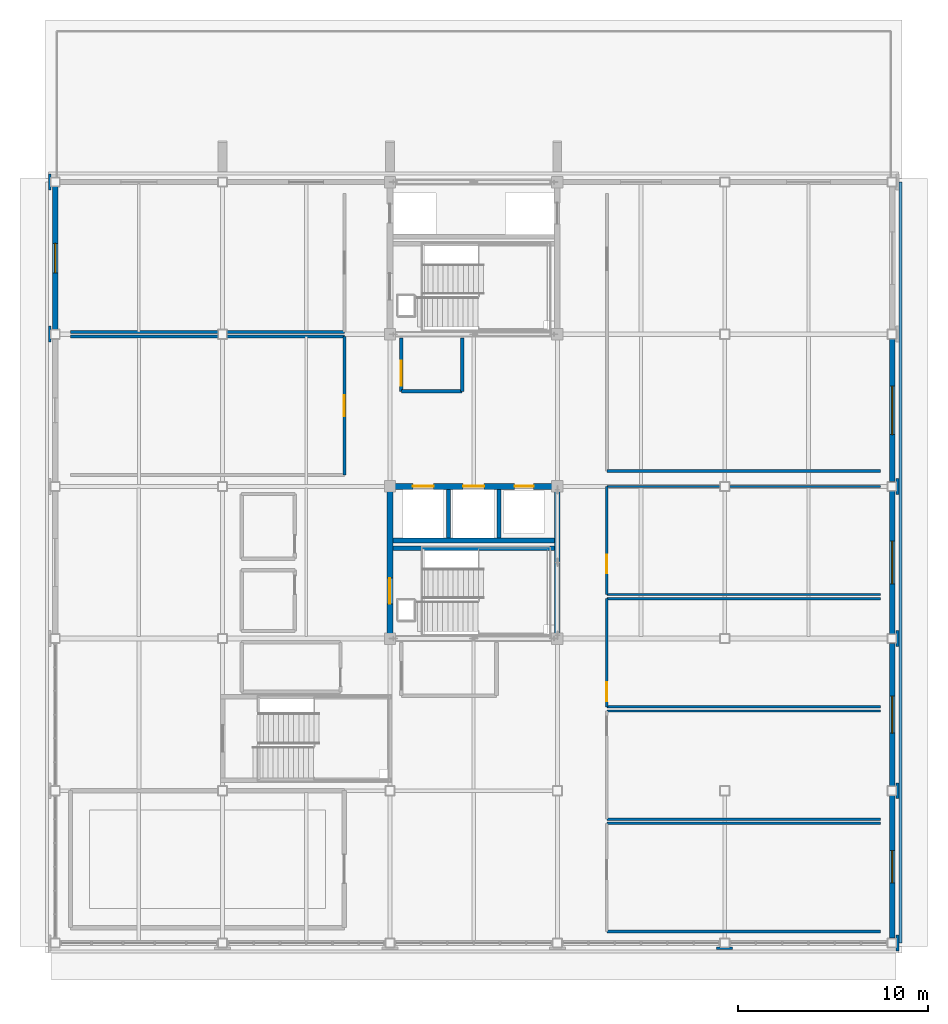
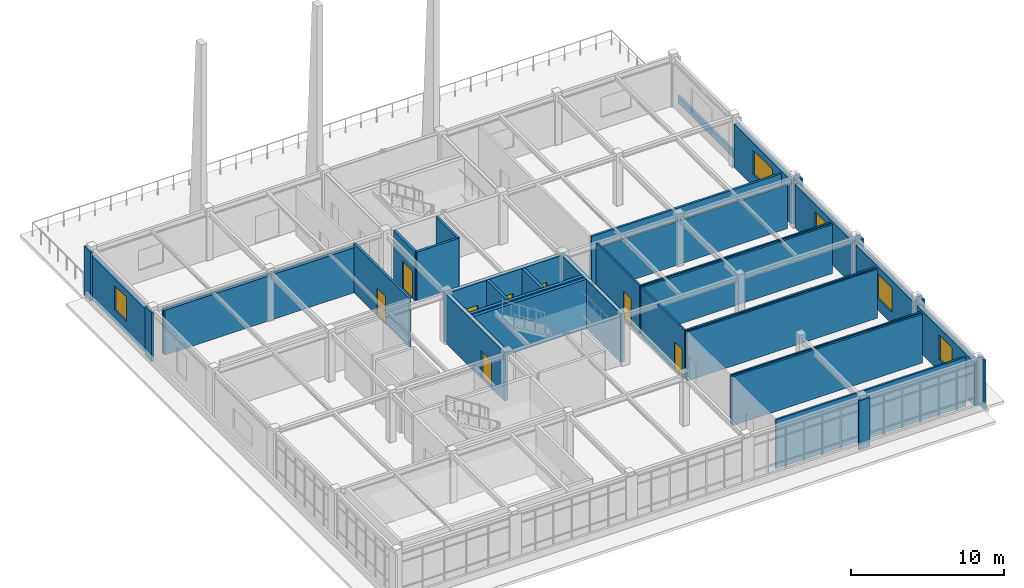
# One storey, part 15 of 22: 37 walls, 8 doors, 5 windows, 13 openings.
"""IFC4 building model written with IfcOpenShell, lengths in metres."""

from ifc_helpers import new_model, si_unit, direction, frame, frame_2d, origin, place, context, subcontext, project, spatial, rectangle, extrude, material, layer, layer_set, type_object, element, fill, save


model = new_model("IFC4")

# Units and contexts
model_context = context("Model", 3, precision=1e-05, world=origin(), true_north=direction((0.0, 1.0)))
body_context = subcontext(model_context, "Body", "Model", "MODEL_VIEW")
ifc_project = project(units=[si_unit("LENGTHUNIT", "METRE"), si_unit("AREAUNIT", "SQUARE_METRE"), si_unit("VOLUMEUNIT", "CUBIC_METRE"), si_unit("PLANEANGLEUNIT", "RADIAN"), si_unit("MASSUNIT", "GRAM", prefix="KILO")], contexts=[model_context])

# Site, building, storey
site_placement = place(None, origin())
site = spatial("IfcSite", under=ifc_project, at=site_placement, CompositionType="ELEMENT")
building_placement = place(site_placement, origin())
building = spatial("IfcBuilding", under=site, at=building_placement, Name="Zhaolan Boulevard Law Courts", CompositionType="ELEMENT")
storey_placement = place(building_placement, frame((0.0, 0.0, 28.800048828125)))
storey = spatial("IfcBuildingStorey", under=building, at=storey_placement, Name="L06", CompositionType="ELEMENT", Elevation=28.800048828125)

# Wall, openings, doors
ifc_material_1 = material(Name="Concrete C50", Category="concrete")
ifc_layer_1 = layer(ifc_material_1, 0.300048828125)
ifc_layer_set_1 = layer_set([ifc_layer_1])
wall_type_1 = type_object("IfcWallType", Name="CORE SHEAR WALL 300", PredefinedType="SHEAR", material=ifc_layer_set_1)
wall_1_placement = place(storey_placement, frame((26.550048828125, 54.0, 0.0), z_axis=(0.0, 0.0, 1.0), x_axis=(-1.0, 0.0, 0.0)))
wall_1 = element("IfcWall", 1, at=wall_1_placement, inside=storey, type_object=wall_type_1, Name="Core Shear Wall CW-W1-L06N", PredefinedType="SHEAR", context=body_context, shape_type="SweptSolid", body=[
    extrude(rectangle(XDim=9.10009765625, YDim=0.300048828125, at=frame_2d((4.550048828125, 0.0))), origin(), (0.0, 0.0, 1.0), 3.919921875),
])
opening_1_placement = place(wall_1_placement, frame((6.64990234375, 0.0, 0.0)))
opening_1 = element("IfcOpeningElement", 2, at=opening_1_placement, cuts=wall_1, Name="Opening LD-FL-01-L06", PredefinedType="OPENING", context=body_context, shape_type="SweptSolid", body=[
    extrude(rectangle(XDim=1.10009765625, YDim=2.14990234375, at=frame_2d((0.550048828125, 1.074951171875))), frame((0.0, 0.159912109375, 0.0), z_axis=(0.0, -1.0, 0.0), x_axis=(1.0, 0.0, 0.0)), (0.0, 0.0, 1.0), 0.320068359375),
])
opening_2_placement = place(wall_1_placement, frame((4.0, 0.0, 0.0)))
opening_2 = element("IfcOpeningElement", 3, at=opening_2_placement, cuts=wall_1, Name="Opening LD-FL-02-L06", PredefinedType="OPENING", context=body_context, shape_type="SweptSolid", body=[
    extrude(rectangle(XDim=1.10009765625, YDim=2.14990234375, at=frame_2d((0.550048828125, 1.074951171875))), frame((0.0, 0.159912109375, 0.0), z_axis=(0.0, -1.0, 0.0), x_axis=(1.0, 0.0, 0.0)), (0.0, 0.0, 1.0), 0.320068359375),
])
opening_3_placement = place(wall_1_placement, frame((1.39990234375, 0.0, 0.0)))
opening_3 = element("IfcOpeningElement", 4, at=opening_3_placement, cuts=wall_1, Name="Opening LD-JL-01-L06", PredefinedType="OPENING", context=body_context, shape_type="SweptSolid", body=[
    extrude(rectangle(XDim=1.0, YDim=2.14990234375, at=frame_2d((0.5, 1.074951171875))), frame((0.0, 0.159912109375, 0.0), z_axis=(0.0, -1.0, 0.0), x_axis=(1.0, 0.0, 0.0)), (0.0, 0.0, 1.0), 0.320068359375),
])
ifc_material_2 = material(Name="Stainless steel sliding landing door", Category="steel")
door_type_1 = type_object("IfcDoorType", Name="LIFT LANDING 1000X2150", OperationType="DOUBLE_DOOR_SLIDING", PredefinedType="DOOR", material=ifc_material_2)
door_1_placement = place(opening_3_placement, origin())
door_1 = element("IfcDoor", 5, at=door_1_placement, inside=storey, type_object=door_type_1, Name="Lift Landing Sliding Door LD-JL-01-L06", OperationType="DOUBLE_DOOR_SLIDING", OverallHeight=2.14990234375, OverallWidth=1.0, PredefinedType="DOOR", context=body_context, shape_type="SweptSolid", body=[
    extrude(rectangle(XDim=1.0, YDim=2.14990234375, at=frame_2d((0.5, 1.074951171875))), frame((0.0, 0.02490234375, 0.0), z_axis=(0.0, -1.0, 0.0), x_axis=(1.0, 0.0, 0.0)), (0.0, 0.0, 1.0), 0.050048828125),
])
fill(opening_3, door_1)
ifc_material_3 = material(Name="Stainless steel sliding landing door", Category="steel")
door_type_2 = type_object("IfcDoorType", Name="LIFT LANDING 1100X2150", OperationType="DOUBLE_DOOR_SLIDING", PredefinedType="DOOR", material=ifc_material_3)
door_2_placement = place(opening_1_placement, origin())
door_2 = element("IfcDoor", 6, at=door_2_placement, inside=storey, type_object=door_type_2, Name="Lift Landing Sliding Door LD-FL-01-L06", OperationType="DOUBLE_DOOR_SLIDING", OverallHeight=2.14990234375, OverallWidth=1.10009765625, PredefinedType="DOOR", context=body_context, shape_type="SweptSolid", body=[
    extrude(rectangle(XDim=1.10009765625, YDim=2.14990234375, at=frame_2d((0.550048828125, 1.074951171875))), frame((0.0, 0.02490234375, 0.0), z_axis=(0.0, -1.0, 0.0), x_axis=(1.0, 0.0, 0.0)), (0.0, 0.0, 1.0), 0.050048828125),
])
fill(opening_1, door_2)
door_3_placement = place(opening_2_placement, origin())
door_3 = element("IfcDoor", 7, at=door_3_placement, inside=storey, type_object=door_type_2, Name="Lift Landing Sliding Door LD-FL-02-L06", OperationType="DOUBLE_DOOR_SLIDING", OverallHeight=2.14990234375, OverallWidth=1.10009765625, PredefinedType="DOOR", context=body_context, shape_type="SweptSolid", body=[
    extrude(rectangle(XDim=1.10009765625, YDim=2.14990234375, at=frame_2d((0.550048828125, 1.074951171875))), frame((0.0, 0.02490234375, 0.0), z_axis=(0.0, -1.0, 0.0), x_axis=(1.0, 0.0, 0.0)), (0.0, 0.0, 1.0), 0.050048828125),
])
fill(opening_2, door_3)

# Wall, opening, door
wall_2_placement = place(storey_placement, frame((17.60009765625, 46.14990234375, 0.0), z_axis=(0.0, 0.0, 1.0), x_axis=(0.0, 1.0, 0.0)))
wall_2 = element("IfcWall", 8, at=wall_2_placement, inside=storey, type_object=wall_type_1, Name="Core Shear Wall CW-W1-L06W", PredefinedType="SHEAR", context=body_context, shape_type="SweptSolid", body=[
    extrude(rectangle(XDim=7.7001953125, YDim=0.300048828125, at=frame_2d((3.85009765625, 0.0))), origin(), (0.0, 0.0, 1.0), 3.919921875),
])
opening_4_placement = place(wall_2_placement, frame((1.675048828125, 0.0, 0.0)))
opening_4 = element("IfcOpeningElement", 9, at=opening_4_placement, cuts=wall_2, Name="Opening SD-L06-08", PredefinedType="OPENING", context=body_context, shape_type="SweptSolid", body=[
    extrude(rectangle(XDim=1.35009765625, YDim=2.199951171875, at=frame_2d((0.675048828125, 1.10009765625))), frame((0.0, 0.159912109375, 0.0), z_axis=(0.0, -1.0, 0.0), x_axis=(1.0, 0.0, 0.0)), (0.0, 0.0, 1.0), 0.320068359375),
])
ifc_material_4 = material(Name="Fire-rated steel acoustic door", Category="steel")
door_type_3 = type_object("IfcDoorType", Name="STAIR FIRE 1350X2200 R", OperationType="SINGLE_SWING_RIGHT", PredefinedType="DOOR", material=ifc_material_4)
door_4_placement = place(opening_4_placement, origin())
door_4 = element("IfcDoor", 10, at=door_4_placement, inside=storey, type_object=door_type_3, Name="Smoke-Proof Stairwell Fire Door SD-L06-08", OperationType="SINGLE_SWING_RIGHT", OverallHeight=2.199951171875, OverallWidth=1.35009765625, PredefinedType="DOOR", context=body_context, shape_type="SweptSolid", body=[
    extrude(rectangle(XDim=1.35009765625, YDim=2.199951171875, at=frame_2d((0.675048828125, 1.10009765625))), frame((0.0, 0.02490234375, 0.0), z_axis=(0.0, -1.0, 0.0), x_axis=(1.0, 0.0, 0.0)), (0.0, 0.0, 1.0), 0.050048828125),
])
fill(opening_4, door_4)

# Walls
wall_3_placement = place(storey_placement, frame((26.39990234375, 46.14990234375, 0.0), z_axis=(0.0, 0.0, 1.0), x_axis=(0.0, 1.0, 0.0)))
element("IfcWall", 11, at=wall_3_placement, inside=storey, type_object=wall_type_1, Name="Core Shear Wall CW-W1-L06E", PredefinedType="SHEAR", context=body_context, shape_type="SweptSolid", body=[
    extrude(rectangle(XDim=7.7001953125, YDim=0.300048828125, at=frame_2d((3.85009765625, 0.0))), origin(), (0.0, 0.0, 1.0), 3.919921875),
])
ifc_material_5 = material(Name="Concrete C40", Category="concrete")
ifc_layer_2 = layer(ifc_material_5, 0.139892578125)
ifc_layer_set_2 = layer_set([ifc_layer_2])
wall_type_2 = type_object("IfcWallType", Name="EXT WALL ARCH CLAD140", PredefinedType="SOLIDWALL", material=ifc_layer_set_2)
for number, where, z_axis, x_axis, name in (
    (12, (44.280029296875, 29.580078125, 0.0), (0.0, 0.0, 1.0), (0.0, 1.0, 0.0), "Concrete Column Cloak Pier CPR-144"),
    (13, (44.280029296875, 37.580078125, 0.0), (0.0, 0.0, 1.0), (0.0, 1.0, 0.0), "Concrete Column Cloak Pier CPR-146"),
    (14, (44.280029296875, 45.580078125, 0.0), (0.0, 0.0, 1.0), (0.0, 1.0, 0.0), "Concrete Column Cloak Pier CPR-148"),
    (15, (44.280029296875, 53.580078125, 0.0), (0.0, 0.0, 1.0), (0.0, 1.0, 0.0), "Concrete Column Cloak Pier CPR-150"),
    (16, (-0.280029296875, 61.580078125, 0.0), (0.0, 0.0, 1.0), (0.0, 1.0, 0.0), "Concrete Column Cloak Pier CPR-151"),
    (17, (-0.280029296875, 69.580078125, 0.0), (0.0, 0.0, 1.0), (0.0, 1.0, 0.0), "Concrete Column Cloak Pier CPR-153"),
):
    element("IfcWall", number, at=place(storey_placement, frame(where, z_axis=z_axis, x_axis=x_axis)), inside=storey, type_object=wall_type_2, Name=name, PredefinedType="SOLIDWALL", context=body_context, shape_type="SweptSolid", body=[
        extrude(rectangle(XDim=0.83984375, YDim=0.139892578125, at=frame_2d((0.419921875, 0.0))), origin(), (0.0, 0.0, 1.0), 3.93994140625),
    ])
wall_4_placement = place(storey_placement, frame((34.780029296875, 29.719970703125, 0.0), z_axis=(0.0, 0.0, 1.0), x_axis=(1.0, 0.0, 0.0)))
element("IfcWall", 18, at=wall_4_placement, inside=storey, type_object=wall_type_2, Name="Concrete Column Cloak Pier CPR-158", PredefinedType="SOLIDWALL", context=body_context, shape_type="SweptSolid", body=[
    extrude(rectangle(XDim=0.840087890625, YDim=0.139892578125, at=frame_2d((0.419921875, 0.0))), origin(), (0.0, 0.0, 1.0), 3.93994140625),
])
ifc_material_6 = material(Name="Concrete C40", Category="concrete")
ifc_layer_3 = layer(ifc_material_6, 0.159912109375)
ifc_layer_set_3 = layer_set([ifc_layer_3])
wall_type_3 = type_object("IfcWallType", Name="EXT WALL ARCH CLAD160", PredefinedType="SOLIDWALL", material=ifc_layer_set_3)
wall_5_placement = place(storey_placement, frame((44.43994140625, 30.0, 0.0), z_axis=(0.0, 0.0, 1.0), x_axis=(0.0, 1.0, 0.0)))
element("IfcWall", 19, at=wall_5_placement, inside=storey, type_object=wall_type_3, Name="Sculpted Concrete Spandrel Band CBW-140", PredefinedType="SOLIDWALL", context=body_context, shape_type="SweptSolid", body=[
    extrude(rectangle(XDim=40.0, YDim=0.159912109375, at=frame_2d((20.0, 0.0))), origin(), (0.0, 0.0, 1.0), 0.579833984375),
])

# Wall, opening, window
ifc_material_7 = material(Name="Concrete C40", Category="concrete")
ifc_layer_4 = layer(ifc_material_7, 0.280029296875)
ifc_layer_set_4 = layer_set([ifc_layer_4])
wall_type_4 = type_object("IfcWallType", Name="EXT WALL CONCRETE280", PredefinedType="SOLIDWALL", material=ifc_layer_set_4)
wall_6_placement = place(storey_placement, frame((0.0, 69.75390625, 0.0), z_axis=(0.0, 0.0, 1.0), x_axis=(0.0, -1.0, 0.0)))
wall_6 = element("IfcWall", 20, at=wall_6_placement, inside=storey, type_object=wall_type_4, Name="Exterior Wall EW-L06-383", PredefinedType="SOLIDWALL", context=body_context, shape_type="SweptSolid", body=[
    extrude(rectangle(XDim=7.5078125, YDim=0.280029296875, at=frame_2d((3.75390625, 0.0))), origin(), (0.0, 0.0, 1.0), 3.48291015625),
])
opening_5_placement = place(wall_6_placement, frame((2.97900390625, 0.0, 0.949951171875)))
opening_5 = element("IfcOpeningElement", 21, at=opening_5_placement, cuts=wall_6, Name="Opening WIN-L06-233", PredefinedType="OPENING", context=body_context, shape_type="SweptSolid", body=[
    extrude(rectangle(XDim=1.550048828125, YDim=1.949951171875, at=frame_2d((0.77490234375, 0.97509765625))), frame((0.0, 0.14990234375, 0.0), z_axis=(0.0, -1.0, 0.0), x_axis=(1.0, 0.0, 0.0)), (0.0, 0.0, 1.0), 0.300048828125),
])
ifc_material_8 = material(Name="Thermally broken aluminium and low-E glazing", Category="aluminium")
window_type_1 = type_object("IfcWindowType", Name="WINDOW 1550X1950", PartitioningType="SINGLE_PANEL", PredefinedType="WINDOW", material=ifc_material_8)
window_1_placement = place(opening_5_placement, origin())
window_1 = element("IfcWindow", 22, at=window_1_placement, inside=storey, type_object=window_type_1, Name="Exterior Window WIN-L06-233", OverallHeight=1.949951171875, OverallWidth=1.550048828125, PartitioningType="SINGLE_PANEL", PredefinedType="WINDOW", context=body_context, shape_type="SweptSolid", body=[
    extrude(rectangle(XDim=1.550048828125, YDim=1.949951171875, at=frame_2d((0.77490234375, 0.97509765625))), frame((0.0, 0.030029296875, 0.0), z_axis=(0.0, -1.0, 0.0), x_axis=(1.0, 0.0, 0.0)), (0.0, 0.0, 1.0), 0.06005859375),
])
fill(opening_5, window_1)

wall_7_placement = place(storey_placement, frame((44.0, 30.24609375, 0.0), z_axis=(0.0, 0.0, 1.0), x_axis=(0.0, 1.0, 0.0)))
wall_7 = element("IfcWall", 23, at=wall_7_placement, inside=storey, type_object=wall_type_4, Name="Exterior Wall EW-L06-384", PredefinedType="SOLIDWALL", context=body_context, shape_type="SweptSolid", body=[
    extrude(rectangle(XDim=7.5078125, YDim=0.280029296875, at=frame_2d((3.75390625, 0.0))), origin(), (0.0, 0.0, 1.0), 3.48291015625),
])
opening_6_placement = place(wall_7_placement, frame((2.904052734375, 0.0, 0.949951171875)))
opening_6 = element("IfcOpeningElement", 24, at=opening_6_placement, cuts=wall_7, Name="Opening WIN-L06-234", PredefinedType="OPENING", context=body_context, shape_type="SweptSolid", body=[
    extrude(rectangle(XDim=1.699951171875, YDim=1.949951171875, at=frame_2d((0.85009765625, 0.97509765625))), frame((0.0, 0.14990234375, 0.0), z_axis=(0.0, -1.0, 0.0), x_axis=(1.0, 0.0, 0.0)), (0.0, 0.0, 1.0), 0.300048828125),
])
ifc_material_9 = material(Name="Thermally broken aluminium and low-E glazing", Category="aluminium")
window_type_2 = type_object("IfcWindowType", Name="WINDOW 1700X1950", PartitioningType="SINGLE_PANEL", PredefinedType="WINDOW", material=ifc_material_9)
window_2_placement = place(opening_6_placement, origin())
window_2 = element("IfcWindow", 25, at=window_2_placement, inside=storey, type_object=window_type_2, Name="Exterior Window WIN-L06-234", OverallHeight=1.949951171875, OverallWidth=1.699951171875, PartitioningType="SINGLE_PANEL", PredefinedType="WINDOW", context=body_context, shape_type="SweptSolid", body=[
    extrude(rectangle(XDim=1.699951171875, YDim=1.949951171875, at=frame_2d((0.85009765625, 0.97509765625))), frame((0.0, 0.030029296875, 0.0), z_axis=(0.0, -1.0, 0.0), x_axis=(1.0, 0.0, 0.0)), (0.0, 0.0, 1.0), 0.06005859375),
])
fill(opening_6, window_2)

wall_8_placement = place(storey_placement, frame((44.0, 38.24609375, 0.0), z_axis=(0.0, 0.0, 1.0), x_axis=(0.0, 1.0, 0.0)))
wall_8 = element("IfcWall", 26, at=wall_8_placement, inside=storey, type_object=wall_type_4, Name="Exterior Wall EW-L06-385", PredefinedType="SOLIDWALL", context=body_context, shape_type="SweptSolid", body=[
    extrude(rectangle(XDim=7.5078125, YDim=0.280029296875, at=frame_2d((3.75390625, 0.0))), origin(), (0.0, 0.0, 1.0), 3.48291015625),
])
opening_7_placement = place(wall_8_placement, frame((2.779052734375, 0.0, 0.949951171875)))
opening_7 = element("IfcOpeningElement", 27, at=opening_7_placement, cuts=wall_8, Name="Opening WIN-L06-235", PredefinedType="OPENING", context=body_context, shape_type="SweptSolid", body=[
    extrude(rectangle(XDim=1.949951171875, YDim=1.949951171875, at=frame_2d((0.97509765625, 0.97509765625))), frame((0.0, 0.14990234375, 0.0), z_axis=(0.0, -1.0, 0.0), x_axis=(1.0, 0.0, 0.0)), (0.0, 0.0, 1.0), 0.300048828125),
])
ifc_material_10 = material(Name="Thermally broken aluminium and low-E glazing", Category="aluminium")
window_type_3 = type_object("IfcWindowType", Name="WINDOW 1950X1950", PartitioningType="DOUBLE_PANEL_VERTICAL", PredefinedType="WINDOW", material=ifc_material_10)
window_3_placement = place(opening_7_placement, origin())
window_3 = element("IfcWindow", 28, at=window_3_placement, inside=storey, type_object=window_type_3, Name="Exterior Window WIN-L06-235", OverallHeight=1.949951171875, OverallWidth=1.949951171875, PartitioningType="SINGLE_PANEL", PredefinedType="WINDOW", context=body_context, shape_type="SweptSolid", body=[
    extrude(rectangle(XDim=1.949951171875, YDim=1.949951171875, at=frame_2d((0.97509765625, 0.97509765625))), frame((0.0, 0.030029296875, 0.0), z_axis=(0.0, -1.0, 0.0), x_axis=(1.0, 0.0, 0.0)), (0.0, 0.0, 1.0), 0.06005859375),
])
fill(opening_7, window_3)

wall_9_placement = place(storey_placement, frame((44.0, 46.24609375, 0.0), z_axis=(0.0, 0.0, 1.0), x_axis=(0.0, 1.0, 0.0)))
wall_9 = element("IfcWall", 29, at=wall_9_placement, inside=storey, type_object=wall_type_4, Name="Exterior Wall EW-L06-386", PredefinedType="SOLIDWALL", context=body_context, shape_type="SweptSolid", body=[
    extrude(rectangle(XDim=7.5078125, YDim=0.280029296875, at=frame_2d((3.75390625, 0.0))), origin(), (0.0, 0.0, 1.0), 3.48291015625),
])
opening_8_placement = place(wall_9_placement, frame((2.62890625, 0.0, 0.949951171875)))
opening_8 = element("IfcOpeningElement", 30, at=opening_8_placement, cuts=wall_9, Name="Opening WIN-L06-236", PredefinedType="OPENING", context=body_context, shape_type="SweptSolid", body=[
    extrude(rectangle(XDim=2.25, YDim=1.949951171875, at=frame_2d((1.125, 0.97509765625))), frame((0.0, 0.14990234375, 0.0), z_axis=(0.0, -1.0, 0.0), x_axis=(1.0, 0.0, 0.0)), (0.0, 0.0, 1.0), 0.300048828125),
])
ifc_material_11 = material(Name="Thermally broken aluminium and low-E glazing", Category="aluminium")
window_type_4 = type_object("IfcWindowType", Name="WINDOW 2250X1950", PartitioningType="DOUBLE_PANEL_VERTICAL", PredefinedType="WINDOW", material=ifc_material_11)
window_4_placement = place(opening_8_placement, origin())
window_4 = element("IfcWindow", 31, at=window_4_placement, inside=storey, type_object=window_type_4, Name="Exterior Window WIN-L06-236", OverallHeight=1.949951171875, OverallWidth=2.25, PartitioningType="SINGLE_PANEL", PredefinedType="WINDOW", context=body_context, shape_type="SweptSolid", body=[
    extrude(rectangle(XDim=2.25, YDim=1.949951171875, at=frame_2d((1.125, 0.97509765625))), frame((0.0, 0.030029296875, 0.0), z_axis=(0.0, -1.0, 0.0), x_axis=(1.0, 0.0, 0.0)), (0.0, 0.0, 1.0), 0.06005859375),
])
fill(opening_8, window_4)

wall_10_placement = place(storey_placement, frame((44.0, 54.24609375, 0.0), z_axis=(0.0, 0.0, 1.0), x_axis=(0.0, 1.0, 0.0)))
wall_10 = element("IfcWall", 32, at=wall_10_placement, inside=storey, type_object=wall_type_4, Name="Exterior Wall EW-L06-387", PredefinedType="SOLIDWALL", context=body_context, shape_type="SweptSolid", body=[
    extrude(rectangle(XDim=7.5078125, YDim=0.280029296875, at=frame_2d((3.75390625, 0.0))), origin(), (0.0, 0.0, 1.0), 3.48291015625),
])
opening_9_placement = place(wall_10_placement, frame((2.47900390625, 0.0, 0.949951171875)))
opening_9 = element("IfcOpeningElement", 33, at=opening_9_placement, cuts=wall_10, Name="Opening WIN-L06-237", PredefinedType="OPENING", context=body_context, shape_type="SweptSolid", body=[
    extrude(rectangle(XDim=2.550048828125, YDim=1.949951171875, at=frame_2d((1.27490234375, 0.97509765625))), frame((0.0, 0.14990234375, 0.0), z_axis=(0.0, -1.0, 0.0), x_axis=(1.0, 0.0, 0.0)), (0.0, 0.0, 1.0), 0.300048828125),
])
ifc_material_12 = material(Name="Thermally broken aluminium and low-E glazing", Category="aluminium")
window_type_5 = type_object("IfcWindowType", Name="WINDOW 2550X1950", PartitioningType="DOUBLE_PANEL_VERTICAL", PredefinedType="WINDOW", material=ifc_material_12)
window_5_placement = place(opening_9_placement, origin())
window_5 = element("IfcWindow", 34, at=window_5_placement, inside=storey, type_object=window_type_5, Name="Exterior Window WIN-L06-237", OverallHeight=1.949951171875, OverallWidth=2.550048828125, PartitioningType="SINGLE_PANEL", PredefinedType="WINDOW", context=body_context, shape_type="SweptSolid", body=[
    extrude(rectangle(XDim=2.550048828125, YDim=1.949951171875, at=frame_2d((1.27490234375, 0.97509765625))), frame((0.0, 0.030029296875, 0.0), z_axis=(0.0, -1.0, 0.0), x_axis=(1.0, 0.0, 0.0)), (0.0, 0.0, 1.0), 0.06005859375),
])
fill(opening_9, window_5)

# Walls
ifc_material_13 = material(Name="Concrete C50", Category="concrete")
ifc_layer_5 = layer(ifc_material_13, 0.239990234375)
ifc_layer_set_5 = layer_set([ifc_layer_5])
wall_type_5 = type_object("IfcWallType", Name="LIFT SHAFT WALL 240", PredefinedType="SHEAR", material=ifc_layer_set_5)
wall_11_placement = place(storey_placement, frame((17.75, 51.155029296875, 0.0), z_axis=(0.0, 0.0, 1.0), x_axis=(1.0, 0.0, 0.0)))
element("IfcWall", 35, at=wall_11_placement, inside=storey, type_object=wall_type_5, Name="Lift Shaft Enclosure Wall W1 (L06)", PredefinedType="SHEAR", context=body_context, shape_type="SweptSolid", body=[
    extrude(rectangle(XDim=8.5, YDim=0.239990234375, at=frame_2d((4.25, 0.0))), origin(), (0.0, 0.0, 1.0), 3.919921875),
])
ifc_material_14 = material(Name="Acoustic gypsum and mineral-wool stud")
ifc_layer_6 = layer(ifc_material_14, 0.18994140625)
ifc_layer_set_6 = layer_set([ifc_layer_6])
wall_type_6 = type_object("IfcWallType", Name="PART WALL ACOUST190", PredefinedType="PARTITIONING", material=ifc_layer_set_6)
wall_12_placement = place(storey_placement, frame((18.199951171875, 59.0, 0.0), z_axis=(0.0, 0.0, 1.0), x_axis=(1.0, 0.0, 0.0)))
element("IfcWall", 36, at=wall_12_placement, inside=storey, type_object=wall_type_6, Name="Interior Partition PW-L06-046", PredefinedType="PARTITIONING", context=body_context, shape_type="SweptSolid", body=[
    extrude(rectangle(XDim=3.199951171875, YDim=0.18994140625, at=frame_2d((1.60009765625, 0.0))), origin(), (0.0, 0.0, 1.0), 3.919921875),
])

# Wall, opening, door
wall_13_placement = place(storey_placement, frame((18.199951171875, 61.800048828125, 0.0), z_axis=(0.0, 0.0, 1.0), x_axis=(0.0, -1.0, 0.0)))
wall_13 = element("IfcWall", 37, at=wall_13_placement, inside=storey, type_object=wall_type_6, Name="Interior Partition PW-L06-047", PredefinedType="PARTITIONING", context=body_context, shape_type="SweptSolid", body=[
    extrude(rectangle(XDim=2.800048828125, YDim=0.18994140625, at=frame_2d((1.39990234375, 0.0))), origin(), (0.0, 0.0, 1.0), 3.919921875),
])
opening_10_placement = place(wall_13_placement, frame((1.199951171875, 0.0, 0.0)))
opening_10 = element("IfcOpeningElement", 38, at=opening_10_placement, cuts=wall_13, Name="Opening FD-L06-016", PredefinedType="OPENING", context=body_context, shape_type="SweptSolid", body=[
    extrude(rectangle(XDim=1.300048828125, YDim=2.199951171875, at=frame_2d((0.64990234375, 1.10009765625))), frame((0.0, 0.10498046875, 0.0), z_axis=(0.0, -1.0, 0.0), x_axis=(1.0, 0.0, 0.0)), (0.0, 0.0, 1.0), 0.2099609375),
])
ifc_material_15 = material(Name="Fire-rated steel acoustic door", Category="steel")
door_type_4 = type_object("IfcDoorType", Name="LOBBY FIRE 1300X2200 R", OperationType="SINGLE_SWING_RIGHT", PredefinedType="DOOR", material=ifc_material_15)
door_5_placement = place(opening_10_placement, origin())
door_5 = element("IfcDoor", 39, at=door_5_placement, inside=storey, type_object=door_type_4, Name="Door FD-L06-016 (Lobby Firefighting Lift L06-W2)", OperationType="SINGLE_SWING_RIGHT", OverallHeight=2.199951171875, OverallWidth=1.300048828125, PredefinedType="DOOR", context=body_context, shape_type="SweptSolid", body=[
    extrude(rectangle(XDim=1.300048828125, YDim=2.199951171875, at=frame_2d((0.64990234375, 1.10009765625))), frame((0.0, 0.02490234375, 0.0), z_axis=(0.0, -1.0, 0.0), x_axis=(1.0, 0.0, 0.0)), (0.0, 0.0, 1.0), 0.050048828125),
])
fill(opening_10, door_5)

# Walls
wall_14_placement = place(storey_placement, frame((21.39990234375, 59.0, 0.0), z_axis=(0.0, 0.0, 1.0), x_axis=(0.0, 1.0, 0.0)))
element("IfcWall", 40, at=wall_14_placement, inside=storey, type_object=wall_type_6, Name="Interior Partition PW-L06-048", PredefinedType="PARTITIONING", context=body_context, shape_type="SweptSolid", body=[
    extrude(rectangle(XDim=2.800048828125, YDim=0.18994140625, at=frame_2d((1.39990234375, 0.0))), origin(), (0.0, 0.0, 1.0), 3.919921875),
])
ifc_material_16 = material(Name="Fire-rated gypsum stud partition")
ifc_layer_7 = layer(ifc_material_16, 0.159912109375)
ifc_layer_set_7 = layer_set([ifc_layer_7])
wall_type_7 = type_object("IfcWallType", Name="PART WALL CHAMB160", PredefinedType="PARTITIONING", material=ifc_layer_set_7)
wall_15_placement = place(storey_placement, frame((15.199951171875, 61.889892578125, 0.0), z_axis=(0.0, 0.0, 1.0), x_axis=(-1.0, 0.0, 0.0)))
element("IfcWall", 41, at=wall_15_placement, inside=storey, type_object=wall_type_7, Name="Interior Partition PW-L06-671", PredefinedType="PARTITIONING", context=body_context, shape_type="SweptSolid", body=[
    extrude(rectangle(XDim=14.39990234375, YDim=0.159912109375, at=frame_2d((7.199951171875, 0.0))), origin(), (0.0, 0.0, 1.0), 3.595947265625),
])

# Wall, opening, door
wall_16_placement = place(storey_placement, frame((15.199951171875, 54.60009765625, 0.0), z_axis=(0.0, 0.0, 1.0), x_axis=(0.0, 1.0, 0.0)))
wall_16 = element("IfcWall", 42, at=wall_16_placement, inside=storey, type_object=wall_type_7, Name="Interior Partition PW-L06-672", PredefinedType="PARTITIONING", context=body_context, shape_type="SweptSolid", body=[
    extrude(rectangle(XDim=7.289794921875, YDim=0.159912109375, at=frame_2d((3.64501953125, 0.0))), origin(), (0.0, 0.0, 1.0), 3.919921875),
])
opening_11_placement = place(wall_16_placement, frame((3.0849609375, 0.0, 0.0)))
opening_11 = element("IfcOpeningElement", 43, at=opening_11_placement, cuts=wall_16, Name="Opening JR-L06-204", PredefinedType="OPENING", context=body_context, shape_type="SweptSolid", body=[
    extrude(rectangle(XDim=1.1201171875, YDim=2.199951171875, at=frame_2d((0.56005859375, 1.10009765625))), frame((0.0, 0.08984375, 0.0), z_axis=(0.0, -1.0, 0.0), x_axis=(1.0, 0.0, 0.0)), (0.0, 0.0, 1.0), 0.179931640625),
])
ifc_material_17 = material(Name="Solid-core acoustic oak veneer door")
door_type_5 = type_object("IfcDoorType", Name="JURY DOOR 1120X2200 R", OperationType="SINGLE_SWING_RIGHT", PredefinedType="DOOR", material=ifc_material_17)
door_6_placement = place(opening_11_placement, origin())
door_6 = element("IfcDoor", 44, at=door_6_placement, inside=storey, type_object=door_type_5, Name="Door JR-L06-204 (Jury Room L06-01)", OperationType="SINGLE_SWING_RIGHT", OverallHeight=2.199951171875, OverallWidth=1.1201171875, PredefinedType="DOOR", context=body_context, shape_type="SweptSolid", body=[
    extrude(rectangle(XDim=1.1201171875, YDim=2.199951171875, at=frame_2d((0.56005859375, 1.10009765625))), frame((0.0, 0.02490234375, 0.0), z_axis=(0.0, -1.0, 0.0), x_axis=(1.0, 0.0, 0.0)), (0.0, 0.0, 1.0), 0.050048828125),
])
fill(opening_11, door_6)

# Walls
wall_17_placement = place(storey_placement, frame((0.800048828125, 62.110107421875, 0.0), z_axis=(0.0, 0.0, 1.0), x_axis=(1.0, 0.0, 0.0)))
element("IfcWall", 45, at=wall_17_placement, inside=storey, type_object=wall_type_7, Name="Interior Partition PW-L06-673", PredefinedType="PARTITIONING", context=body_context, shape_type="SweptSolid", body=[
    extrude(rectangle(XDim=14.39990234375, YDim=0.159912109375, at=frame_2d((7.199951171875, 0.0))), origin(), (0.0, 0.0, 1.0), 3.595947265625),
])
wall_18_placement = place(storey_placement, frame((29.0, 54.800048828125, 0.0), z_axis=(0.0, 0.0, 1.0), x_axis=(1.0, 0.0, 0.0)))
element("IfcWall", 46, at=wall_18_placement, inside=storey, type_object=wall_type_7, Name="Interior Partition PW-L06-687", PredefinedType="PARTITIONING", context=body_context, shape_type="SweptSolid", body=[
    extrude(rectangle(XDim=14.39990234375, YDim=0.159912109375, at=frame_2d((7.199951171875, 0.0))), origin(), (0.0, 0.0, 1.0), 3.919921875),
])
ifc_material_18 = material(Name="Concrete C40", Category="concrete")
ifc_layer_8 = layer(ifc_material_18, 0.2099609375)
ifc_layer_set_8 = layer_set([ifc_layer_8])
wall_type_8 = type_object("IfcWallType", Name="PART WALL CUSTODY210", PredefinedType="PARTITIONING", material=ifc_layer_set_8)
for number, where, z_axis, x_axis, name in (
    (47, (20.675048828125, 51.277099609375, 0.0), (0.0, 0.0, 1.0), (0.0, 1.0, 0.0), "Lift Shaft Divider Wall W1-1 (L06)"),
    (48, (23.337890625, 51.277099609375, 0.0), (0.0, 0.0, 1.0), (0.0, 1.0, 0.0), "Lift Shaft Divider Wall W1-2 (L06)"),
):
    element("IfcWall", number, at=place(storey_placement, frame(where, z_axis=z_axis, x_axis=x_axis)), inside=storey, type_object=wall_type_8, Name=name, PredefinedType="PARTITIONING", context=body_context, shape_type="SweptSolid", body=[
        extrude(rectangle(XDim=2.57080078125, YDim=0.2099609375, at=frame_2d((1.285400390625, 0.0))), origin(), (0.0, 0.0, 1.0), 3.919921875),
    ])
ifc_material_19 = material(Name="Gypsum board stud partition")
ifc_layer_9 = layer(ifc_material_19, 0.1201171875)
ifc_layer_set_9 = layer_set([ifc_layer_9])
wall_type_9 = type_object("IfcWallType", Name="PART WALL LIGHT120", PredefinedType="PARTITIONING", material=ifc_layer_set_9)
for number, where, z_axis, x_axis, name in (
    (49, (29.0, 36.5048828125, 0.0), (0.0, 0.0, 1.0), (1.0, 0.0, 0.0), "Interior Partition PW-L06-678"),
    (50, (43.39990234375, 42.18994140625, 0.0), (0.0, 0.0, 1.0), (-1.0, 0.0, 0.0), "Interior Partition PW-L06-679"),
    (51, (29.0, 48.31494140625, 0.0), (0.0, 0.0, 1.0), (1.0, 0.0, 0.0), "Interior Partition PW-L06-684"),
):
    element("IfcWall", number, at=place(storey_placement, frame(where, z_axis=z_axis, x_axis=x_axis)), inside=storey, type_object=wall_type_9, Name=name, PredefinedType="PARTITIONING", context=body_context, shape_type="SweptSolid", body=[
        extrude(rectangle(XDim=14.39990234375, YDim=0.1201171875, at=frame_2d((7.199951171875, 0.0))), origin(), (0.0, 0.0, 1.0), 3.919921875),
    ])
wall_19_placement = place(storey_placement, frame((43.39990234375, 54.0, 0.0), z_axis=(0.0, 0.0, 1.0), x_axis=(-1.0, 0.0, 0.0)))
element("IfcWall", 52, at=wall_19_placement, inside=storey, type_object=wall_type_9, Name="Interior Partition PW-L06-685", PredefinedType="PARTITIONING", context=body_context, shape_type="SweptSolid", body=[
    extrude(rectangle(XDim=14.39990234375, YDim=0.1201171875, at=frame_2d((7.199951171875, 0.0))), origin(), (0.0, 0.0, 1.0), 3.48583984375),
])

# Wall, opening, door
wall_20_placement = place(storey_placement, frame((29.0, 54.0, 0.0), z_axis=(0.0, 0.0, 1.0), x_axis=(0.0, -1.0, 0.0)))
wall_20 = element("IfcWall", 53, at=wall_20_placement, inside=storey, type_object=wall_type_9, Name="Interior Partition PW-L06-686", PredefinedType="PARTITIONING", context=body_context, shape_type="SweptSolid", body=[
    extrude(rectangle(XDim=5.68505859375, YDim=0.1201171875, at=frame_2d((2.842529296875, 0.0))), origin(), (0.0, 0.0, 1.0), 3.919921875),
])
opening_12_placement = place(wall_20_placement, frame((3.583984375, 0.0, 0.0)))
opening_12 = element("IfcOpeningElement", 54, at=opening_12_placement, cuts=wall_20, Name="Opening JD-L06-209", PredefinedType="OPENING", context=body_context, shape_type="SweptSolid", body=[
    extrude(rectangle(XDim=0.97998046875, YDim=2.199951171875, at=frame_2d((0.489990234375, 1.10009765625))), frame((0.0, 0.070068359375, 0.0), z_axis=(0.0, -1.0, 0.0), x_axis=(1.0, 0.0, 0.0)), (0.0, 0.0, 1.0), 0.14013671875),
])
ifc_material_20 = material(Name="Solid-core acoustic oak veneer door")
door_type_6 = type_object("IfcDoorType", Name="CHAMBER DOOR 980X2200 R", OperationType="SINGLE_SWING_RIGHT", PredefinedType="DOOR", material=ifc_material_20)
door_7_placement = place(opening_12_placement, origin())
door_7 = element("IfcDoor", 55, at=door_7_placement, inside=storey, type_object=door_type_6, Name="Door JD-L06-209 (Judges' Chambers L06-04)", OperationType="SINGLE_SWING_RIGHT", OverallHeight=2.199951171875, OverallWidth=0.97998046875, PredefinedType="DOOR", context=body_context, shape_type="SweptSolid", body=[
    extrude(rectangle(XDim=0.97998046875, YDim=2.199951171875, at=frame_2d((0.489990234375, 1.10009765625))), frame((0.0, 0.02490234375, 0.0), z_axis=(0.0, -1.0, 0.0), x_axis=(1.0, 0.0, 0.0)), (0.0, 0.0, 1.0), 0.050048828125),
])
fill(opening_12, door_7)

# Walls
ifc_material_21 = material(Name="Fire-rated gypsum stud partition")
ifc_layer_10 = layer(ifc_material_21, 0.139892578125)
ifc_layer_set_10 = layer_set([ifc_layer_10])
wall_type_10 = type_object("IfcWallType", Name="PART WALL OFFICE140", PredefinedType="PARTITIONING", material=ifc_layer_set_10)
for number, where, z_axis, x_axis, name in (
    (56, (29.0, 30.60009765625, 0.0), (0.0, 0.0, 1.0), (1.0, 0.0, 0.0), "Interior Partition PW-L06-675"),
    (57, (43.39990234375, 36.284912109375, 0.0), (0.0, 0.0, 1.0), (-1.0, 0.0, 0.0), "Interior Partition PW-L06-676"),
    (58, (29.0, 42.409912109375, 0.0), (0.0, 0.0, 1.0), (1.0, 0.0, 0.0), "Interior Partition PW-L06-681"),
    (59, (43.39990234375, 48.094970703125, 0.0), (0.0, 0.0, 1.0), (-1.0, 0.0, 0.0), "Interior Partition PW-L06-682"),
):
    element("IfcWall", number, at=place(storey_placement, frame(where, z_axis=z_axis, x_axis=x_axis)), inside=storey, type_object=wall_type_10, Name=name, PredefinedType="PARTITIONING", context=body_context, shape_type="SweptSolid", body=[
        extrude(rectangle(XDim=14.39990234375, YDim=0.139892578125, at=frame_2d((7.199951171875, 0.0))), origin(), (0.0, 0.0, 1.0), 3.919921875),
    ])

# Wall, opening, door
wall_21_placement = place(storey_placement, frame((29.0, 48.094970703125, 0.0), z_axis=(0.0, 0.0, 1.0), x_axis=(0.0, -1.0, 0.0)))
wall_21 = element("IfcWall", 60, at=wall_21_placement, inside=storey, type_object=wall_type_10, Name="Interior Partition PW-L06-683", PredefinedType="PARTITIONING", context=body_context, shape_type="SweptSolid", body=[
    extrude(rectangle(XDim=5.68505859375, YDim=0.139892578125, at=frame_2d((2.842529296875, 0.0))), origin(), (0.0, 0.0, 1.0), 3.919921875),
])
opening_13_placement = place(wall_21_placement, frame((4.385009765625, 0.0, 0.0)))
opening_13 = element("IfcOpeningElement", 61, at=opening_13_placement, cuts=wall_21, Name="Opening JD-L06-208", PredefinedType="OPENING", context=body_context, shape_type="SweptSolid", body=[
    extrude(rectangle(XDim=1.0, YDim=2.199951171875, at=frame_2d((0.5, 1.10009765625))), frame((0.0, 0.079833984375, 0.0), z_axis=(0.0, -1.0, 0.0), x_axis=(1.0, 0.0, 0.0)), (0.0, 0.0, 1.0), 0.159912109375),
])
ifc_material_22 = material(Name="Solid-core acoustic oak veneer door")
door_type_7 = type_object("IfcDoorType", Name="CHAMBER DOOR 1000X2200 L", OperationType="SINGLE_SWING_LEFT", PredefinedType="DOOR", material=ifc_material_22)
door_8_placement = place(opening_13_placement, origin())
door_8 = element("IfcDoor", 62, at=door_8_placement, inside=storey, type_object=door_type_7, Name="Door JD-L06-208 (Judges' Chambers L06-03)", OperationType="SINGLE_SWING_LEFT", OverallHeight=2.199951171875, OverallWidth=1.0, PredefinedType="DOOR", context=body_context, shape_type="SweptSolid", body=[
    extrude(rectangle(XDim=1.0, YDim=2.199951171875, at=frame_2d((0.5, 1.10009765625))), frame((0.0, 0.02490234375, 0.0), z_axis=(0.0, -1.0, 0.0), x_axis=(1.0, 0.0, 0.0)), (0.0, 0.0, 1.0), 0.050048828125),
])
fill(opening_13, door_8)

# Wall
ifc_material_23 = material(Name="Concrete C50", Category="concrete")
ifc_layer_11 = layer(ifc_material_23, 0.239990234375)
ifc_layer_set_11 = layer_set([ifc_layer_11])
wall_type_11 = type_object("IfcWallType", Name="STAIR WELL WALL 240", PredefinedType="SHEAR", material=ifc_layer_set_11)
wall_22_placement = place(storey_placement, frame((17.75, 50.75, 0.0), z_axis=(0.0, 0.0, 1.0), x_axis=(1.0, 0.0, 0.0)))
element("IfcWall", 63, at=wall_22_placement, inside=storey, type_object=wall_type_11, Name="Stairwell Divider Shear Wall ST01-L06N", PredefinedType="SHEAR", context=body_context, shape_type="SweptSolid", body=[
    extrude(rectangle(XDim=8.5, YDim=0.239990234375, at=frame_2d((4.25, 0.0))), origin(), (0.0, 0.0, 1.0), 3.949951171875),
])

save(model, "model.ifc")
